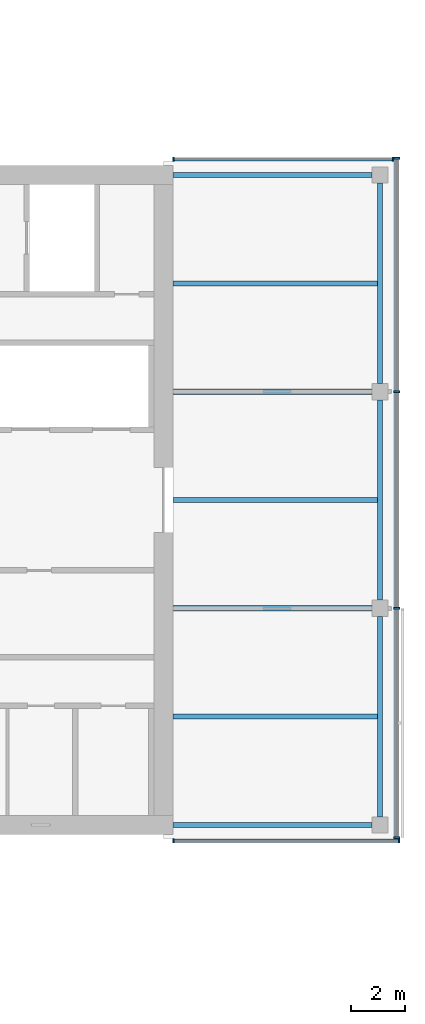
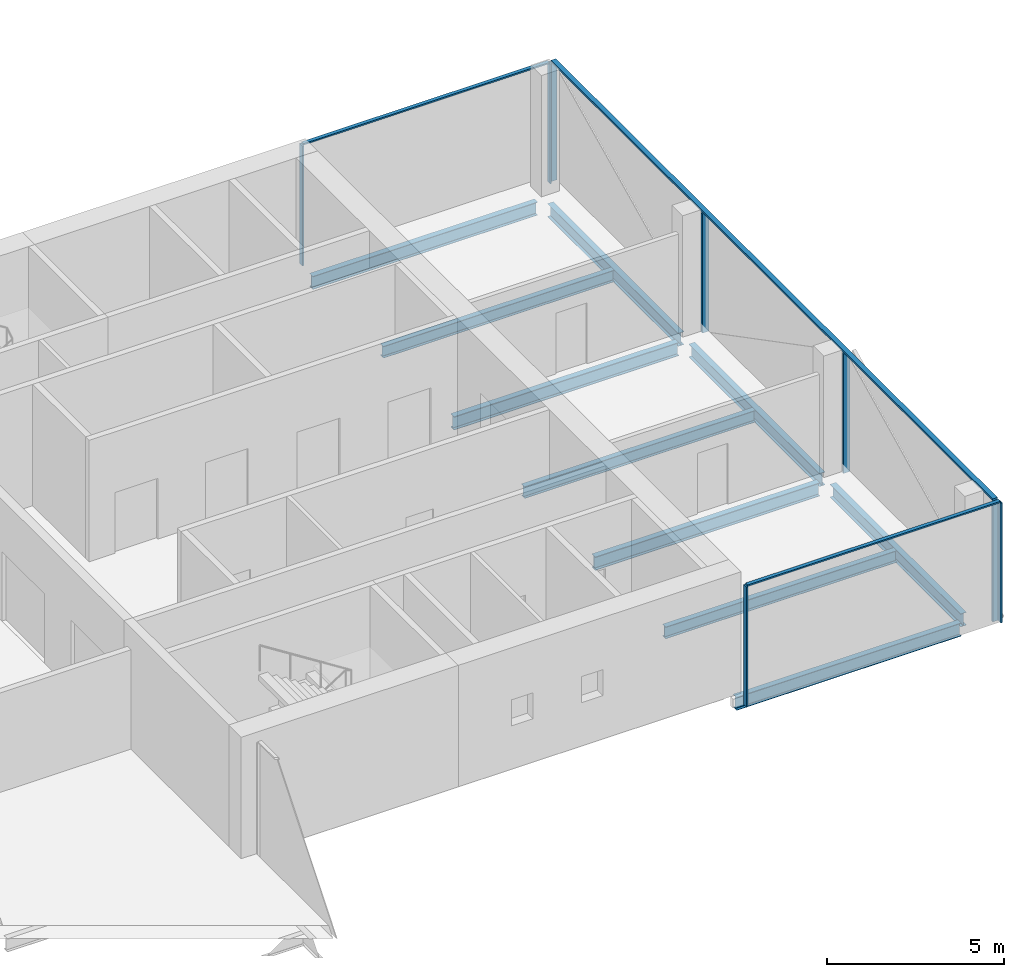
# One storey, part 11 of 22: 11 members, 10 beams, 3 elements without a shape of their own.
"""IFC4 building model written with IfcOpenShell, lengths in metres."""

from ifc_helpers import new_model, si_unit, direction, frame, origin, origin_2d, place, context, subcontext, project, spatial, rectangle, i_section, extrude, material, material_profile, profile_set, type_object, element, aggregate, save


model = new_model("IFC4")

# Units and contexts
model_context = context("Model", 3, precision=1e-05, world=origin(), true_north=direction((0.0, 1.0)))
body_context = subcontext(model_context, "Body", "Model", "MODEL_VIEW")
ifc_project = project(units=[si_unit("LENGTHUNIT", "METRE"), si_unit("AREAUNIT", "SQUARE_METRE"), si_unit("VOLUMEUNIT", "CUBIC_METRE"), si_unit("PLANEANGLEUNIT", "RADIAN"), si_unit("MASSUNIT", "GRAM", prefix="KILO")], contexts=[model_context])

# Site, building, storey
site_placement = place(None, origin())
site = spatial("IfcSite", under=ifc_project, at=site_placement, CompositionType="ELEMENT")
building_placement = place(site_placement, origin())
building = spatial("IfcBuilding", under=site, at=building_placement, Name="Crosswind Convention Tower", CompositionType="ELEMENT")
storey_placement = place(building_placement, frame((0.0, 0.0, 142.10009765625)))
storey = spatial("IfcBuildingStorey", under=building, at=storey_placement, Name="L29", CompositionType="ELEMENT", Elevation=142.10009765625)

# Beams
ifc_material_1 = material(Name="Steel S355", Category="steel")
ifc_material_profile_1 = material_profile(ifc_material_1, i_section(OverallWidth=0.18994140625, OverallDepth=0.45361328125, WebThickness=0.008544921875, FlangeThickness=0.0126953125, FilletRadius=0.01025390625, at=origin_2d()), Name="UB 457x191x67")
ifc_profile_set_1 = profile_set([ifc_material_profile_1], Name="Steel S355")
beam_type_1 = type_object("IfcBeamType", Name="Edge beam UB 457x191x67", PredefinedType="SPANDREL", material=ifc_profile_set_1)
for number, where, z_axis, x_axis, name in (
    (1, (153.35009765625, 88.0, -0.52685546875), (1.0, 0.0, 0.0), (0.0, 1.0, 0.0), "B16 L29 edge beam 20"),
    (2, (153.35009765625, 112.0, -0.52685546875), (1.0, 0.0, 0.0), (0.0, 1.0, 0.0), "B16 L29 edge beam 21"),
):
    element("IfcBeam", number, at=place(storey_placement, frame(where, z_axis=z_axis, x_axis=x_axis)), inside=storey, type_object=beam_type_1, Name=name, PredefinedType="SPANDREL", context=body_context, shape_type="SweptSolid", body=[
        extrude(i_section(OverallWidth=0.18994140625, OverallDepth=0.45361328125, WebThickness=0.008544921875, FlangeThickness=0.0126953125, FilletRadius=0.01025390625, at=origin_2d()), origin(), (0.0, 0.0, 1.0), 7.349853515625),
    ])
for number, where, z_axis, x_axis, name in (
    (3, (161.0, 88.300048828125, -0.52685546875), (0.0, 1.0, 0.0), (-1.0, 0.0, 0.0), "B16 L29 edge beam 22"),
    (4, (161.0, 96.300048828125, -0.52685546875), (0.0, 1.0, 0.0), (-1.0, 0.0, 0.0), "B16 L29 edge beam 23"),
    (5, (161.0, 104.300048828125, -0.52685546875), (0.0, 1.0, 0.0), (-1.0, 0.0, 0.0), "B16 L29 edge beam 24"),
):
    element("IfcBeam", number, at=place(storey_placement, frame(where, z_axis=z_axis, x_axis=x_axis)), inside=storey, type_object=beam_type_1, Name=name, PredefinedType="SPANDREL", context=body_context, shape_type="SweptSolid", body=[
        extrude(i_section(OverallWidth=0.18994140625, OverallDepth=0.45361328125, WebThickness=0.008544921875, FlangeThickness=0.0126953125, FilletRadius=0.01025390625, at=origin_2d()), origin(), (0.0, 0.0, 1.0), 7.39990234375),
    ])
ifc_material_profile_2 = material_profile(ifc_material_1, i_section(OverallWidth=0.19189453125, OverallDepth=0.463623046875, WebThickness=0.010498046875, FlangeThickness=0.017578125, FilletRadius=0.01025390625, at=origin_2d()), Name="UB 457x191x90")
ifc_profile_set_2 = profile_set([ifc_material_profile_2], Name="Steel S355")
beam_type_2 = type_object("IfcBeamType", Name="Girder at core wall UB 457x191x90", PredefinedType="BEAM", material=ifc_profile_set_2)
for number, where, z_axis, x_axis, name in (
    (6, (153.35009765625, 96.0, -0.531982421875), (1.0, 0.0, 0.0), (0.0, 1.0, 0.0), "B24 L29 girder at core wall 11"),
    (7, (153.35009765625, 104.0, -0.531982421875), (1.0, 0.0, 0.0), (0.0, 1.0, 0.0), "B24 L29 girder at core wall 12"),
):
    element("IfcBeam", number, at=place(storey_placement, frame(where, z_axis=z_axis, x_axis=x_axis)), inside=storey, type_object=beam_type_2, Name=name, PredefinedType="BEAM", context=body_context, shape_type="SweptSolid", body=[
        extrude(i_section(OverallWidth=0.19189453125, OverallDepth=0.463623046875, WebThickness=0.010498046875, FlangeThickness=0.017578125, FilletRadius=0.01025390625, at=origin_2d()), origin(), (0.0, 0.0, 1.0), 7.349853515625),
    ])

# Curtain wall, members
ifc_material_2 = material(Name="Aluminium unitised curtain wall", Category="aluminium")
curtain_wall_type_1 = type_object("IfcCurtainWallType", Name="CORE END SLOT WALL 160", PredefinedType="USERDEFINED", material=ifc_material_2)
curtain_wall_1_placement = place(storey_placement, origin())
curtain_wall_1 = element("IfcCurtainWall", 8, at=curtain_wall_1_placement, inside=storey, type_object=curtain_wall_type_1, Name="CW6 L29 E-N.1-1 slot", ObjectType="UNITISED", PredefinedType="USERDEFINED")
ifc_material_3 = material(Name="Aluminium mullion", Category="aluminium")
ifc_material_profile_3 = material_profile(ifc_material_3, rectangle(XDim=0.159912109375, YDim=0.050048828125, at=origin_2d()), Name="AL 160X50")
ifc_profile_set_3 = profile_set([ifc_material_profile_3], Name="Aluminium mullion")
member_type_1 = type_object("IfcMemberType", Name="MULLION 50X160", PredefinedType="MULLION", material=ifc_profile_set_3)
member_1_placement = place(storey_placement, frame((161.47509765625, 112.580078125, -0.300048828125), z_axis=(0.0, 0.0, 1.0), x_axis=(0.0, 1.0, 0.0)))
member_1 = element("IfcMember", 9, at=member_1_placement, type_object=member_type_1, Name="CW6 mullion 1", PredefinedType="MULLION", context=body_context, shape_type="SweptSolid", body=[
    extrude(rectangle(XDim=0.159912109375, YDim=0.050048828125, at=origin_2d()), origin(), (0.0, 0.0, 1.0), 4.14990234375),
])
member_2_placement = place(storey_placement, frame((153.375, 112.580078125, -0.300048828125), z_axis=(0.0, 0.0, 1.0), x_axis=(0.0, 1.0, 0.0)))
member_2 = element("IfcMember", 10, at=member_2_placement, type_object=member_type_1, Name="CW6 mullion 2", PredefinedType="MULLION", context=body_context, shape_type="SweptSolid", body=[
    extrude(rectangle(XDim=0.159912109375, YDim=0.050048828125, at=origin_2d()), origin(), (0.0, 0.0, 1.0), 4.14990234375),
])

curtain_wall_2_placement = place(storey_placement, origin())
curtain_wall_2 = element("IfcCurtainWall", 11, at=curtain_wall_2_placement, inside=storey, type_object=curtain_wall_type_1, Name="CW6 L29 E-S.2-1 slot", ObjectType="UNITISED", PredefinedType="USERDEFINED")
member_3_placement = place(storey_placement, frame((153.375, 87.419921875, -0.300048828125), z_axis=(0.0, 0.0, 1.0), x_axis=(0.0, -1.0, 0.0)))
member_3 = element("IfcMember", 12, at=member_3_placement, type_object=member_type_1, Name="CW6 mullion 1", PredefinedType="MULLION", context=body_context, shape_type="SweptSolid", body=[
    extrude(rectangle(XDim=0.159912109375, YDim=0.050048828125, at=origin_2d()), origin(), (0.0, 0.0, 1.0), 4.14990234375),
])
member_4_placement = place(storey_placement, frame((161.695068359375, 87.419921875, -0.300048828125), z_axis=(0.0, 0.0, 1.0), x_axis=(0.0, -1.0, 0.0)))
member_4 = element("IfcMember", 13, at=member_4_placement, type_object=member_type_1, Name="CW6 mullion 2", PredefinedType="MULLION", context=body_context, shape_type="SweptSolid", body=[
    extrude(rectangle(XDim=0.159912109375, YDim=0.050048828125, at=origin_2d()), origin(), (0.0, 0.0, 1.0), 4.14990234375),
])

curtain_wall_type_2 = type_object("IfcCurtainWallType", Name="OFFICE UNITISED WALL 220", PredefinedType="USERDEFINED", material=ifc_material_2)
curtain_wall_3_placement = place(storey_placement, origin())
curtain_wall_3 = element("IfcCurtainWall", 14, at=curtain_wall_3_placement, inside=storey, type_object=curtain_wall_type_2, Name="CW3 L29 E-TIP 1", ObjectType="UNITISED", PredefinedType="USERDEFINED")
ifc_material_profile_4 = material_profile(ifc_material_3, rectangle(XDim=0.219970703125, YDim=0.070068359375, at=origin_2d()), Name="AL 220X70")
ifc_profile_set_4 = profile_set([ifc_material_profile_4], Name="Aluminium mullion")
member_type_2 = type_object("IfcMemberType", Name="MULLION 70X220", PredefinedType="MULLION", material=ifc_profile_set_4)
member_5_placement = place(storey_placement, frame((161.610107421875, 87.534912109375, -0.300048828125), z_axis=(0.0, 0.0, 1.0), x_axis=(1.0, 0.0, 0.0)))
member_5 = element("IfcMember", 15, at=member_5_placement, type_object=member_type_2, Name="CW3 mullion 1", PredefinedType="MULLION", context=body_context, shape_type="SweptSolid", body=[
    extrude(rectangle(XDim=0.219970703125, YDim=0.070068359375, at=origin_2d()), origin(), (0.0, 0.0, 1.0), 4.1298828125),
])
member_6_placement = place(storey_placement, frame((161.610107421875, 96.0, -0.300048828125), z_axis=(0.0, 0.0, 1.0), x_axis=(1.0, 0.0, 0.0)))
member_6 = element("IfcMember", 16, at=member_6_placement, type_object=member_type_2, Name="CW3 mullion 2", PredefinedType="MULLION", context=body_context, shape_type="SweptSolid", body=[
    extrude(rectangle(XDim=0.219970703125, YDim=0.070068359375, at=origin_2d()), origin(), (0.0, 0.0, 1.0), 4.1298828125),
])
member_7_placement = place(storey_placement, frame((161.610107421875, 104.0, -0.300048828125), z_axis=(0.0, 0.0, 1.0), x_axis=(1.0, 0.0, 0.0)))
member_7 = element("IfcMember", 17, at=member_7_placement, type_object=member_type_2, Name="CW3 mullion 3", PredefinedType="MULLION", context=body_context, shape_type="SweptSolid", body=[
    extrude(rectangle(XDim=0.219970703125, YDim=0.070068359375, at=origin_2d()), origin(), (0.0, 0.0, 1.0), 4.1298828125),
])
member_8_placement = place(storey_placement, frame((161.610107421875, 112.625, -0.300048828125), z_axis=(0.0, 0.0, 1.0), x_axis=(1.0, 0.0, 0.0)))
member_8 = element("IfcMember", 18, at=member_8_placement, type_object=member_type_2, Name="CW3 mullion 4", PredefinedType="MULLION", context=body_context, shape_type="SweptSolid", body=[
    extrude(rectangle(XDim=0.219970703125, YDim=0.070068359375, at=origin_2d()), origin(), (0.0, 0.0, 1.0), 4.1298828125),
])

# Beams
ifc_material_profile_5 = material_profile(ifc_material_1, i_section(OverallWidth=0.177734375, OverallDepth=0.406494140625, WebThickness=0.0078125, FlangeThickness=0.0126953125, FilletRadius=0.01025390625, at=origin_2d()), Name="UB 406x178x60")
ifc_profile_set_5 = profile_set([ifc_material_profile_5], Name="Steel S355")
beam_type_3 = type_object("IfcBeamType", Name="Secondary beam UB 406x178x60", PredefinedType="JOIST", material=ifc_profile_set_5)
for number, where, z_axis, x_axis, name in (
    (19, (153.35009765625, 92.0, -0.50341796875), (1.0, 0.0, 0.0), (0.0, 1.0, 0.0), "B10 L29 secondary beam 25"),
    (20, (153.35009765625, 100.0, -0.50341796875), (1.0, 0.0, 0.0), (0.0, 1.0, 0.0), "B10 L29 secondary beam 26"),
    (21, (153.35009765625, 108.0, -0.50341796875), (1.0, 0.0, 0.0), (0.0, 1.0, 0.0), "B10 L29 secondary beam 27"),
):
    element("IfcBeam", number, at=place(storey_placement, frame(where, z_axis=z_axis, x_axis=x_axis)), inside=storey, type_object=beam_type_3, Name=name, PredefinedType="JOIST", context=body_context, shape_type="SweptSolid", body=[
        extrude(i_section(OverallWidth=0.177734375, OverallDepth=0.406494140625, WebThickness=0.0078125, FlangeThickness=0.0126953125, FilletRadius=0.01025390625, at=origin_2d()), origin(), (0.0, 0.0, 1.0), 7.554931640625),
    ])

# Member
ifc_material_4 = material(Name="Aluminium transom", Category="aluminium")
ifc_material_profile_6 = material_profile(ifc_material_4, rectangle(XDim=0.1201171875, YDim=0.050048828125, at=origin_2d()), Name="AL 120X50")
ifc_profile_set_6 = profile_set([ifc_material_profile_6], Name="Aluminium transom")
member_type_3 = type_object("IfcMemberType", Name="TRANSOM 50X120", PredefinedType="USERDEFINED", material=ifc_profile_set_6)
member_9_placement = place(storey_placement, frame((161.449951171875, 112.580078125, 3.875), z_axis=(-1.0, 0.0, 0.0), x_axis=(0.0, -1.0, 0.0)))
member_9 = element("IfcMember", 22, at=member_9_placement, type_object=member_type_3, Name="CW6 transom", ObjectType="TRANSOM", PredefinedType="USERDEFINED", context=body_context, shape_type="SweptSolid", body=[
    extrude(rectangle(XDim=0.1201171875, YDim=0.050048828125, at=origin_2d()), origin(), (0.0, 0.0, 1.0), 8.050048828125),
])

aggregate(curtain_wall_1, [member_1, member_2, member_9])

member_10_placement = place(storey_placement, frame((153.39990234375, 87.419921875, 3.875), z_axis=(1.0, 0.0, 0.0), x_axis=(0.0, 1.0, 0.0)))
member_10 = element("IfcMember", 23, at=member_10_placement, type_object=member_type_3, Name="CW6 transom", ObjectType="TRANSOM", PredefinedType="USERDEFINED", context=body_context, shape_type="SweptSolid", body=[
    extrude(rectangle(XDim=0.1201171875, YDim=0.050048828125, at=origin_2d()), origin(), (0.0, 0.0, 1.0), 8.27001953125),
])

aggregate(curtain_wall_2, [member_3, member_4, member_10])

ifc_material_profile_7 = material_profile(ifc_material_4, rectangle(XDim=0.159912109375, YDim=0.070068359375, at=origin_2d()), Name="AL 160X70")
ifc_profile_set_7 = profile_set([ifc_material_profile_7], Name="Aluminium transom")
member_type_4 = type_object("IfcMemberType", Name="TRANSOM 70X160", PredefinedType="USERDEFINED", material=ifc_profile_set_7)
member_11_placement = place(storey_placement, frame((161.610107421875, 87.570068359375, 3.864990234375), z_axis=(0.0, 1.0, 0.0), x_axis=(-1.0, 0.0, 0.0)))
member_11 = element("IfcMember", 24, at=member_11_placement, type_object=member_type_4, Name="CW3 transom", ObjectType="TRANSOM", PredefinedType="USERDEFINED", context=body_context, shape_type="SweptSolid", body=[
    extrude(rectangle(XDim=0.159912109375, YDim=0.070068359375, at=origin_2d()), origin(), (0.0, 0.0, 1.0), 25.02001953125),
])

aggregate(curtain_wall_3, [member_5, member_6, member_7, member_8, member_11])

save(model, "model.ifc")
